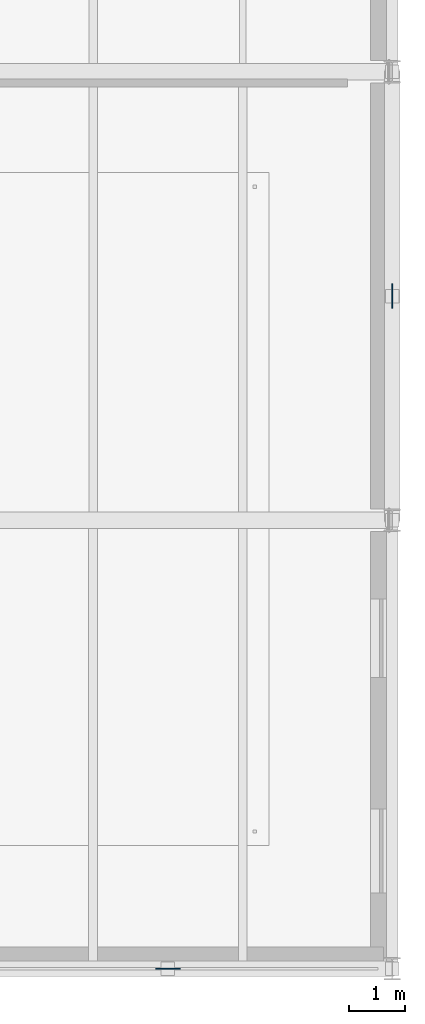
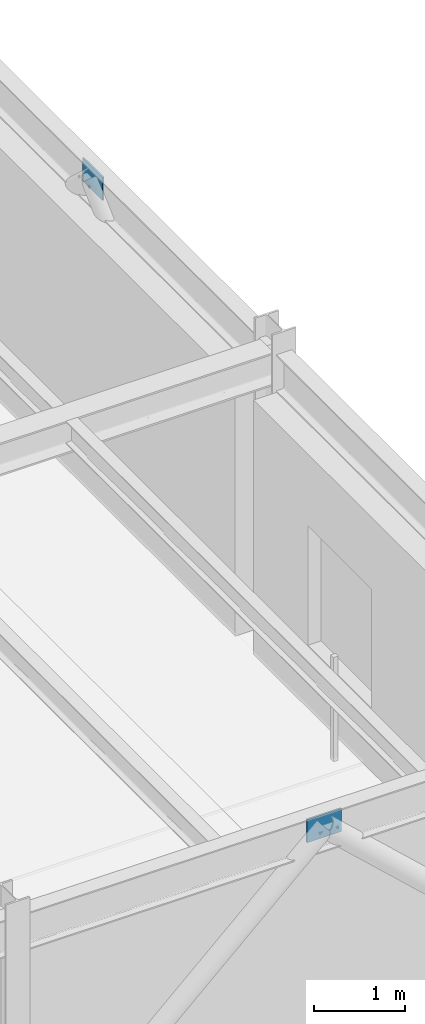
# One storey, part 36 of 67: 2 plates.
"""IFC4 building model written with IfcOpenShell, lengths in metres."""

from ifc_helpers import new_model, si_unit, direction, frame, origin, origin_2d, place, context, subcontext, project, spatial, rectangle, extrude, material, layer, layer_set, type_object, element, save


model = new_model("IFC4")

# Units and contexts
model_context = context("Model", 3, precision=1e-05, world=origin(), true_north=direction((0.0, 1.0)))
body_context = subcontext(model_context, "Body", "Model", "MODEL_VIEW")
ifc_project = project(units=[si_unit("LENGTHUNIT", "METRE"), si_unit("AREAUNIT", "SQUARE_METRE"), si_unit("VOLUMEUNIT", "CUBIC_METRE"), si_unit("PLANEANGLEUNIT", "RADIAN"), si_unit("MASSUNIT", "GRAM", prefix="KILO")], contexts=[model_context])

# Site, building, storey
site_placement = place(None, origin())
site = spatial("IfcSite", under=ifc_project, at=site_placement, CompositionType="ELEMENT")
building_placement = place(site_placement, origin())
building = spatial("IfcBuilding", under=site, at=building_placement, Name="Sundkrona Museum", CompositionType="ELEMENT")
storey_placement = place(building_placement, frame((0.0, 0.0, 21.800048828125)))
storey = spatial("IfcBuildingStorey", under=building, at=storey_placement, Name="L04", CompositionType="ELEMENT", Elevation=21.800048828125)

# Plates
ifc_material = material(Name="Steel S355J2", Category="steel")
ifc_layer = layer(ifc_material, 0.02197265625)
ifc_layer_set = layer_set([ifc_layer], Name="Steel S355J2")
plate_type = type_object("IfcPlateType", Name="GP-5", PredefinedType="USERDEFINED", material=ifc_layer_set)
for number, where, z_axis, x_axis, name in (
    (1, (164.0, 0.0, 3.544921875), (0.0, 0.0, 1.0), (1.0, 0.0, 0.0), "L04 Chevron Apex Gusset Plate 006"),
    (2, (168.0, 12.0, 3.544921875), (0.0, 0.0, 1.0), (0.0, 1.0, 0.0), "L04 Chevron Apex Gusset Plate 012"),
):
    element("IfcPlate", number, at=place(storey_placement, frame(where, z_axis=z_axis, x_axis=x_axis)), inside=storey, type_object=plate_type, Name=name, ObjectType="GUSSET PLATE", PredefinedType="USERDEFINED", context=body_context, shape_type="SweptSolid", body=[
        extrude(rectangle(XDim=0.43994140625, YDim=0.02197265625, at=origin_2d()), origin(), (0.0, 0.0, 1.0), 0.31005859375),
    ])

save(model, "model.ifc")
